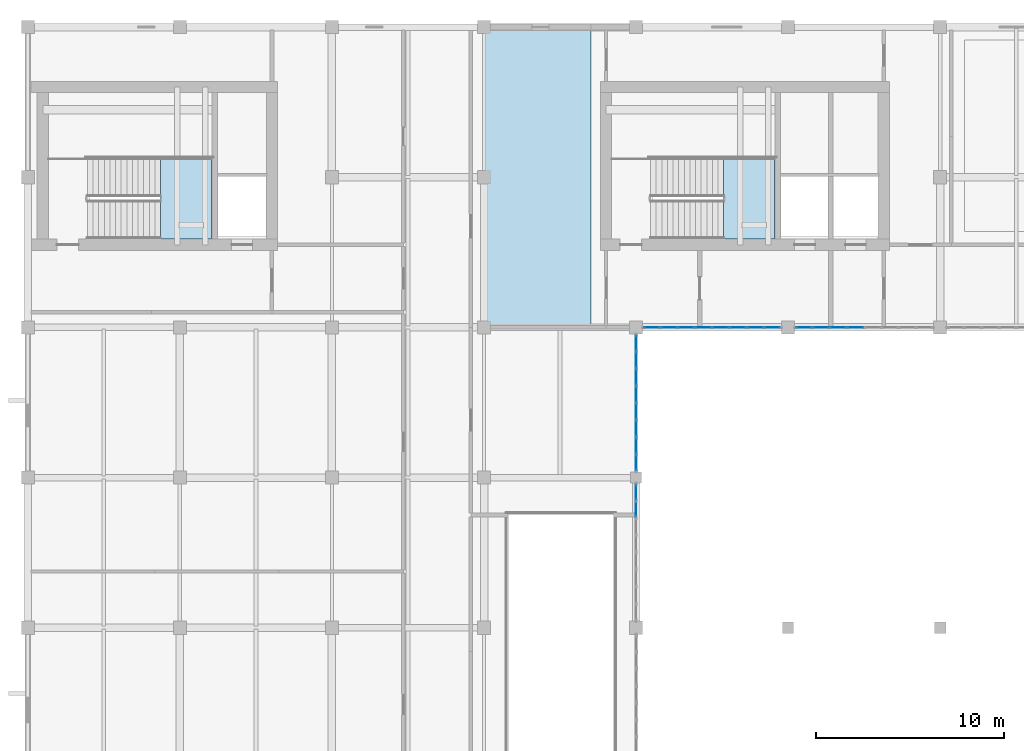
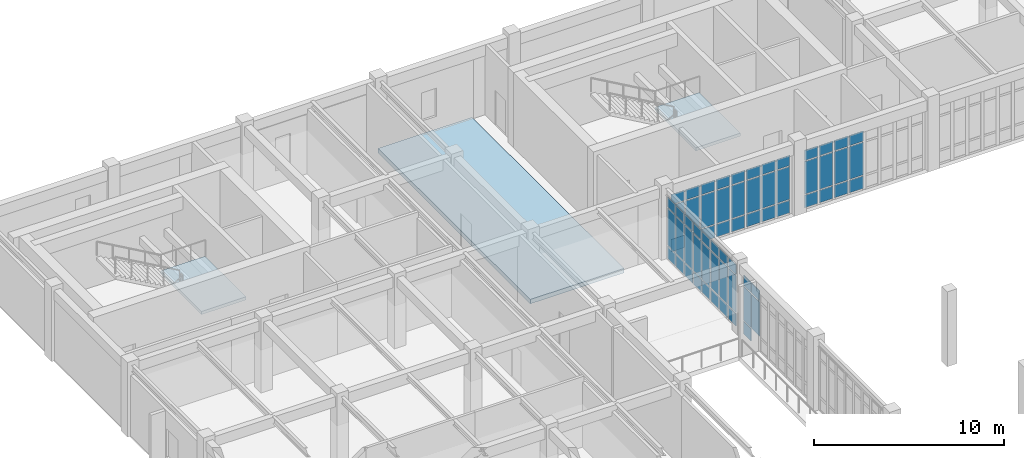
# One storey, part 35 of 61: 65 plates, 3 slabs, 6 elements without a shape of their own.
"""IFC4 building model written with IfcOpenShell, lengths in metres."""

from ifc_helpers import new_model, si_unit, direction, frame, origin, origin_2d, place, context, subcontext, project, spatial, polyline, rectangle, outline, extrude, material, layer, layer_set, type_object, element, aggregate, save


model = new_model("IFC4")

# Units and contexts
model_context = context("Model", 3, precision=1e-05, world=origin(), true_north=direction((0.0, 1.0)))
body_context = subcontext(model_context, "Body", "Model", "MODEL_VIEW")
ifc_project = project(units=[si_unit("LENGTHUNIT", "METRE"), si_unit("AREAUNIT", "SQUARE_METRE"), si_unit("VOLUMEUNIT", "CUBIC_METRE"), si_unit("PLANEANGLEUNIT", "RADIAN"), si_unit("MASSUNIT", "GRAM", prefix="KILO")], contexts=[model_context])

# Site, building, storey
site_placement = place(None, origin())
site = spatial("IfcSite", under=ifc_project, at=site_placement, CompositionType="ELEMENT")
building_placement = place(site_placement, origin())
building = spatial("IfcBuilding", under=site, at=building_placement, Name="Tarnveldt Square Police Headquarters", CompositionType="ELEMENT")
storey_placement = place(building_placement, frame((0.0, 0.0, 5.39990234375)))
storey = spatial("IfcBuildingStorey", under=building, at=storey_placement, Name="L01", CompositionType="ELEMENT", Elevation=5.39990234375)

# Curtain wall, plates
ifc_material_1 = material(Name="Triple-glazed low-e laminated vision glass", Category="glass")
curtain_wall_type_1 = type_object("IfcCurtainWallType", Name="CW-WG-732x391", PredefinedType="USERDEFINED", material=ifc_material_1)
curtain_wall_1_placement = place(storey_placement, origin())
curtain_wall_1 = element("IfcCurtainWall", 1, at=curtain_wall_1_placement, inside=storey, type_object=curtain_wall_type_1, Name="L01 Curtain Wall CW-L01-071", ObjectType="GLAZED CURTAIN WALL", PredefinedType="USERDEFINED")
ifc_layer_1 = layer(ifc_material_1, 0.028076171875)
ifc_layer_set_1 = layer_set([ifc_layer_1], Name="Triple-glazed low-e laminated vision glass")
plate_type = type_object("IfcPlateType", Name="CWP-VIS-28", PredefinedType="CURTAIN_PANEL", material=ifc_layer_set_1)
plate_1_placement = place(storey_placement, frame((48.60009765625, 86.3125, 0.9375), z_axis=(0.0, 0.0, 1.0), x_axis=(0.0, 1.0, 0.0)))
plate_1 = element("IfcPlate", 2, at=plate_1_placement, type_object=plate_type, Name="CW-WG31 panel 7.2", PredefinedType="CURTAIN_PANEL", context=body_context, shape_type="SweptSolid", body=[
    extrude(rectangle(XDim=0.840087890625, YDim=0.028076171875, at=origin_2d()), origin(), (0.0, 0.0, 1.0), 2.18701171875),
])
plate_2_placement = place(storey_placement, frame((48.60009765625, 86.3125, 3.19970703125), z_axis=(0.0, 0.0, 1.0), x_axis=(0.0, 1.0, 0.0)))
plate_2 = element("IfcPlate", 3, at=plate_2_placement, type_object=plate_type, Name="CW-WG31 panel 7.3", PredefinedType="CURTAIN_PANEL", context=body_context, shape_type="SweptSolid", body=[
    extrude(rectangle(XDim=0.840087890625, YDim=0.028076171875, at=origin_2d()), origin(), (0.0, 0.0, 1.0), 0.637451171875),
])
plate_3_placement = place(storey_placement, frame((48.60009765625, 87.208740234375, 0.074951171875), z_axis=(0.0, 0.0, 1.0), x_axis=(0.0, 1.0, 0.0)))
plate_3 = element("IfcPlate", 4, at=plate_3_placement, type_object=plate_type, Name="CW-WG31 panel 8.1", PredefinedType="CURTAIN_PANEL", context=body_context, shape_type="SweptSolid", body=[
    extrude(rectangle(XDim=0.802490234375, YDim=0.028076171875, at=origin_2d()), origin(), (0.0, 0.0, 1.0), 0.78759765625),
])
plate_4_placement = place(storey_placement, frame((48.60009765625, 87.208740234375, 0.9375), z_axis=(0.0, 0.0, 1.0), x_axis=(0.0, 1.0, 0.0)))
plate_4 = element("IfcPlate", 5, at=plate_4_placement, type_object=plate_type, Name="CW-WG31 panel 8.2", PredefinedType="CURTAIN_PANEL", context=body_context, shape_type="SweptSolid", body=[
    extrude(rectangle(XDim=0.802490234375, YDim=0.028076171875, at=origin_2d()), origin(), (0.0, 0.0, 1.0), 2.18701171875),
])
plate_5_placement = place(storey_placement, frame((48.60009765625, 87.208740234375, 3.19970703125), z_axis=(0.0, 0.0, 1.0), x_axis=(0.0, 1.0, 0.0)))
plate_5 = element("IfcPlate", 6, at=plate_5_placement, type_object=plate_type, Name="CW-WG31 panel 8.3", PredefinedType="CURTAIN_PANEL", context=body_context, shape_type="SweptSolid", body=[
    extrude(rectangle(XDim=0.802490234375, YDim=0.028076171875, at=origin_2d()), origin(), (0.0, 0.0, 1.0), 0.637451171875),
])
aggregate(curtain_wall_1, [plate_1, plate_2, plate_3, plate_4, plate_5])

curtain_wall_type_2 = type_object("IfcCurtainWallType", Name="CW-WG-732x409", PredefinedType="USERDEFINED", material=ifc_material_1)
curtain_wall_2_placement = place(storey_placement, origin())
curtain_wall_2 = element("IfcCurtainWall", 7, at=curtain_wall_2_placement, inside=storey, type_object=curtain_wall_type_2, Name="L01 Curtain Wall CW-L01-072", ObjectType="GLAZED CURTAIN WALL", PredefinedType="USERDEFINED")
plate_6_placement = place(storey_placement, frame((48.60009765625, 88.791259765625, 0.074951171875), z_axis=(0.0, 0.0, 1.0), x_axis=(0.0, 1.0, 0.0)))
plate_6 = element("IfcPlate", 8, at=plate_6_placement, type_object=plate_type, Name="CW-WG32 panel 1.1", PredefinedType="CURTAIN_PANEL", context=body_context, shape_type="SweptSolid", body=[
    extrude(rectangle(XDim=0.802490234375, YDim=0.028076171875, at=origin_2d()), origin(), (0.0, 0.0, 1.0), 0.78759765625),
])
plate_7_placement = place(storey_placement, frame((48.60009765625, 88.791259765625, 0.9375), z_axis=(0.0, 0.0, 1.0), x_axis=(0.0, 1.0, 0.0)))
plate_7 = element("IfcPlate", 9, at=plate_7_placement, type_object=plate_type, Name="CW-WG32 panel 1.2", PredefinedType="CURTAIN_PANEL", context=body_context, shape_type="SweptSolid", body=[
    extrude(rectangle(XDim=0.802490234375, YDim=0.028076171875, at=origin_2d()), origin(), (0.0, 0.0, 1.0), 2.3701171875),
])
plate_8_placement = place(storey_placement, frame((48.60009765625, 88.791259765625, 3.3828125), z_axis=(0.0, 0.0, 1.0), x_axis=(0.0, 1.0, 0.0)))
plate_8 = element("IfcPlate", 10, at=plate_8_placement, type_object=plate_type, Name="CW-WG32 panel 1.3", PredefinedType="CURTAIN_PANEL", context=body_context, shape_type="SweptSolid", body=[
    extrude(rectangle(XDim=0.802490234375, YDim=0.028076171875, at=origin_2d()), origin(), (0.0, 0.0, 1.0), 0.637451171875),
])
plate_9_placement = place(storey_placement, frame((48.60009765625, 89.6875, 0.074951171875), z_axis=(0.0, 0.0, 1.0), x_axis=(0.0, 1.0, 0.0)))
plate_9 = element("IfcPlate", 11, at=plate_9_placement, type_object=plate_type, Name="CW-WG32 panel 2.1", PredefinedType="CURTAIN_PANEL", context=body_context, shape_type="SweptSolid", body=[
    extrude(rectangle(XDim=0.840087890625, YDim=0.028076171875, at=origin_2d()), origin(), (0.0, 0.0, 1.0), 0.78759765625),
])
plate_10_placement = place(storey_placement, frame((48.60009765625, 89.6875, 0.9375), z_axis=(0.0, 0.0, 1.0), x_axis=(0.0, 1.0, 0.0)))
plate_10 = element("IfcPlate", 12, at=plate_10_placement, type_object=plate_type, Name="CW-WG32 panel 2.2", PredefinedType="CURTAIN_PANEL", context=body_context, shape_type="SweptSolid", body=[
    extrude(rectangle(XDim=0.840087890625, YDim=0.028076171875, at=origin_2d()), origin(), (0.0, 0.0, 1.0), 2.3701171875),
])
plate_11_placement = place(storey_placement, frame((48.60009765625, 89.6875, 3.3828125), z_axis=(0.0, 0.0, 1.0), x_axis=(0.0, 1.0, 0.0)))
plate_11 = element("IfcPlate", 13, at=plate_11_placement, type_object=plate_type, Name="CW-WG32 panel 2.3", PredefinedType="CURTAIN_PANEL", context=body_context, shape_type="SweptSolid", body=[
    extrude(rectangle(XDim=0.840087890625, YDim=0.028076171875, at=origin_2d()), origin(), (0.0, 0.0, 1.0), 0.637451171875),
])
plate_12_placement = place(storey_placement, frame((48.60009765625, 90.6025390625, 0.074951171875), z_axis=(0.0, 0.0, 1.0), x_axis=(0.0, 1.0, 0.0)))
plate_12 = element("IfcPlate", 14, at=plate_12_placement, type_object=plate_type, Name="CW-WG32 panel 3.1", PredefinedType="CURTAIN_PANEL", context=body_context, shape_type="SweptSolid", body=[
    extrude(rectangle(XDim=0.840087890625, YDim=0.028076171875, at=origin_2d()), origin(), (0.0, 0.0, 1.0), 0.78759765625),
])
plate_13_placement = place(storey_placement, frame((48.60009765625, 90.6025390625, 0.9375), z_axis=(0.0, 0.0, 1.0), x_axis=(0.0, 1.0, 0.0)))
plate_13 = element("IfcPlate", 15, at=plate_13_placement, type_object=plate_type, Name="CW-WG32 panel 3.2", PredefinedType="CURTAIN_PANEL", context=body_context, shape_type="SweptSolid", body=[
    extrude(rectangle(XDim=0.840087890625, YDim=0.028076171875, at=origin_2d()), origin(), (0.0, 0.0, 1.0), 2.3701171875),
])
plate_14_placement = place(storey_placement, frame((48.60009765625, 90.6025390625, 3.3828125), z_axis=(0.0, 0.0, 1.0), x_axis=(0.0, 1.0, 0.0)))
plate_14 = element("IfcPlate", 16, at=plate_14_placement, type_object=plate_type, Name="CW-WG32 panel 3.3", PredefinedType="CURTAIN_PANEL", context=body_context, shape_type="SweptSolid", body=[
    extrude(rectangle(XDim=0.840087890625, YDim=0.028076171875, at=origin_2d()), origin(), (0.0, 0.0, 1.0), 0.637451171875),
])
plate_15_placement = place(storey_placement, frame((48.60009765625, 91.517578125, 0.074951171875), z_axis=(0.0, 0.0, 1.0), x_axis=(0.0, 1.0, 0.0)))
plate_15 = element("IfcPlate", 17, at=plate_15_placement, type_object=plate_type, Name="CW-WG32 panel 4.1", PredefinedType="CURTAIN_PANEL", context=body_context, shape_type="SweptSolid", body=[
    extrude(rectangle(XDim=0.840087890625, YDim=0.028076171875, at=origin_2d()), origin(), (0.0, 0.0, 1.0), 0.78759765625),
])
plate_16_placement = place(storey_placement, frame((48.60009765625, 91.517578125, 0.9375), z_axis=(0.0, 0.0, 1.0), x_axis=(0.0, 1.0, 0.0)))
plate_16 = element("IfcPlate", 18, at=plate_16_placement, type_object=plate_type, Name="CW-WG32 panel 4.2", PredefinedType="CURTAIN_PANEL", context=body_context, shape_type="SweptSolid", body=[
    extrude(rectangle(XDim=0.840087890625, YDim=0.028076171875, at=origin_2d()), origin(), (0.0, 0.0, 1.0), 2.3701171875),
])
plate_17_placement = place(storey_placement, frame((48.60009765625, 91.517578125, 3.3828125), z_axis=(0.0, 0.0, 1.0), x_axis=(0.0, 1.0, 0.0)))
plate_17 = element("IfcPlate", 19, at=plate_17_placement, type_object=plate_type, Name="CW-WG32 panel 4.3", PredefinedType="CURTAIN_PANEL", context=body_context, shape_type="SweptSolid", body=[
    extrude(rectangle(XDim=0.840087890625, YDim=0.028076171875, at=origin_2d()), origin(), (0.0, 0.0, 1.0), 0.637451171875),
])
plate_18_placement = place(storey_placement, frame((48.60009765625, 92.4326171875, 0.074951171875), z_axis=(0.0, 0.0, 1.0), x_axis=(0.0, 1.0, 0.0)))
plate_18 = element("IfcPlate", 20, at=plate_18_placement, type_object=plate_type, Name="CW-WG32 panel 5.1", PredefinedType="CURTAIN_PANEL", context=body_context, shape_type="SweptSolid", body=[
    extrude(rectangle(XDim=0.840087890625, YDim=0.028076171875, at=origin_2d()), origin(), (0.0, 0.0, 1.0), 0.78759765625),
])
plate_19_placement = place(storey_placement, frame((48.60009765625, 92.4326171875, 0.9375), z_axis=(0.0, 0.0, 1.0), x_axis=(0.0, 1.0, 0.0)))
plate_19 = element("IfcPlate", 21, at=plate_19_placement, type_object=plate_type, Name="CW-WG32 panel 5.2", PredefinedType="CURTAIN_PANEL", context=body_context, shape_type="SweptSolid", body=[
    extrude(rectangle(XDim=0.840087890625, YDim=0.028076171875, at=origin_2d()), origin(), (0.0, 0.0, 1.0), 2.3701171875),
])
plate_20_placement = place(storey_placement, frame((48.60009765625, 92.4326171875, 3.3828125), z_axis=(0.0, 0.0, 1.0), x_axis=(0.0, 1.0, 0.0)))
plate_20 = element("IfcPlate", 22, at=plate_20_placement, type_object=plate_type, Name="CW-WG32 panel 5.3", PredefinedType="CURTAIN_PANEL", context=body_context, shape_type="SweptSolid", body=[
    extrude(rectangle(XDim=0.840087890625, YDim=0.028076171875, at=origin_2d()), origin(), (0.0, 0.0, 1.0), 0.637451171875),
])
plate_21_placement = place(storey_placement, frame((48.60009765625, 93.347412109375, 0.074951171875), z_axis=(0.0, 0.0, 1.0), x_axis=(0.0, 1.0, 0.0)))
plate_21 = element("IfcPlate", 23, at=plate_21_placement, type_object=plate_type, Name="CW-WG32 panel 6.1", PredefinedType="CURTAIN_PANEL", context=body_context, shape_type="SweptSolid", body=[
    extrude(rectangle(XDim=0.840087890625, YDim=0.028076171875, at=origin_2d()), origin(), (0.0, 0.0, 1.0), 0.78759765625),
])
plate_22_placement = place(storey_placement, frame((48.60009765625, 93.347412109375, 0.9375), z_axis=(0.0, 0.0, 1.0), x_axis=(0.0, 1.0, 0.0)))
plate_22 = element("IfcPlate", 24, at=plate_22_placement, type_object=plate_type, Name="CW-WG32 panel 6.2", PredefinedType="CURTAIN_PANEL", context=body_context, shape_type="SweptSolid", body=[
    extrude(rectangle(XDim=0.840087890625, YDim=0.028076171875, at=origin_2d()), origin(), (0.0, 0.0, 1.0), 2.3701171875),
])
plate_23_placement = place(storey_placement, frame((48.60009765625, 93.347412109375, 3.3828125), z_axis=(0.0, 0.0, 1.0), x_axis=(0.0, 1.0, 0.0)))
plate_23 = element("IfcPlate", 25, at=plate_23_placement, type_object=plate_type, Name="CW-WG32 panel 6.3", PredefinedType="CURTAIN_PANEL", context=body_context, shape_type="SweptSolid", body=[
    extrude(rectangle(XDim=0.840087890625, YDim=0.028076171875, at=origin_2d()), origin(), (0.0, 0.0, 1.0), 0.637451171875),
])
plate_24_placement = place(storey_placement, frame((48.60009765625, 94.262451171875, 0.074951171875), z_axis=(0.0, 0.0, 1.0), x_axis=(0.0, 1.0, 0.0)))
plate_24 = element("IfcPlate", 26, at=plate_24_placement, type_object=plate_type, Name="CW-WG32 panel 7.1", PredefinedType="CURTAIN_PANEL", context=body_context, shape_type="SweptSolid", body=[
    extrude(rectangle(XDim=0.840087890625, YDim=0.028076171875, at=origin_2d()), origin(), (0.0, 0.0, 1.0), 0.78759765625),
])
plate_25_placement = place(storey_placement, frame((48.60009765625, 94.262451171875, 0.9375), z_axis=(0.0, 0.0, 1.0), x_axis=(0.0, 1.0, 0.0)))
plate_25 = element("IfcPlate", 27, at=plate_25_placement, type_object=plate_type, Name="CW-WG32 panel 7.2", PredefinedType="CURTAIN_PANEL", context=body_context, shape_type="SweptSolid", body=[
    extrude(rectangle(XDim=0.840087890625, YDim=0.028076171875, at=origin_2d()), origin(), (0.0, 0.0, 1.0), 2.3701171875),
])
plate_26_placement = place(storey_placement, frame((48.60009765625, 94.262451171875, 3.3828125), z_axis=(0.0, 0.0, 1.0), x_axis=(0.0, 1.0, 0.0)))
plate_26 = element("IfcPlate", 28, at=plate_26_placement, type_object=plate_type, Name="CW-WG32 panel 7.3", PredefinedType="CURTAIN_PANEL", context=body_context, shape_type="SweptSolid", body=[
    extrude(rectangle(XDim=0.840087890625, YDim=0.028076171875, at=origin_2d()), origin(), (0.0, 0.0, 1.0), 0.637451171875),
])
plate_27_placement = place(storey_placement, frame((48.60009765625, 95.15869140625, 0.074951171875), z_axis=(0.0, 0.0, 1.0), x_axis=(0.0, 1.0, 0.0)))
plate_27 = element("IfcPlate", 29, at=plate_27_placement, type_object=plate_type, Name="CW-WG32 panel 8.1", PredefinedType="CURTAIN_PANEL", context=body_context, shape_type="SweptSolid", body=[
    extrude(rectangle(XDim=0.802490234375, YDim=0.028076171875, at=origin_2d()), origin(), (0.0, 0.0, 1.0), 0.78759765625),
])
plate_28_placement = place(storey_placement, frame((48.60009765625, 95.15869140625, 0.9375), z_axis=(0.0, 0.0, 1.0), x_axis=(0.0, 1.0, 0.0)))
plate_28 = element("IfcPlate", 30, at=plate_28_placement, type_object=plate_type, Name="CW-WG32 panel 8.2", PredefinedType="CURTAIN_PANEL", context=body_context, shape_type="SweptSolid", body=[
    extrude(rectangle(XDim=0.802490234375, YDim=0.028076171875, at=origin_2d()), origin(), (0.0, 0.0, 1.0), 2.3701171875),
])
plate_29_placement = place(storey_placement, frame((48.60009765625, 95.15869140625, 3.3828125), z_axis=(0.0, 0.0, 1.0), x_axis=(0.0, 1.0, 0.0)))
plate_29 = element("IfcPlate", 31, at=plate_29_placement, type_object=plate_type, Name="CW-WG32 panel 8.3", PredefinedType="CURTAIN_PANEL", context=body_context, shape_type="SweptSolid", body=[
    extrude(rectangle(XDim=0.802490234375, YDim=0.028076171875, at=origin_2d()), origin(), (0.0, 0.0, 1.0), 0.637451171875),
])
aggregate(curtain_wall_2, [plate_6, plate_7, plate_8, plate_9, plate_10, plate_11, plate_12, plate_13, plate_14, plate_15, plate_16, plate_17, plate_18, plate_19, plate_20, plate_21, plate_22, plate_23, plate_24, plate_25, plate_26, plate_27, plate_28, plate_29])

curtain_wall_type_3 = type_object("IfcCurtainWallType", Name="CW-LB-737x381", PredefinedType="USERDEFINED", material=ifc_material_1)
curtain_wall_3_placement = place(storey_placement, origin())
curtain_wall_3 = element("IfcCurtainWall", 32, at=curtain_wall_3_placement, inside=storey, type_object=curtain_wall_type_3, Name="L01 Curtain Wall CW-L01-105", ObjectType="GLAZED CURTAIN WALL", PredefinedType="USERDEFINED")
plate_30_placement = place(storey_placement, frame((49.4443359375, 96.0, 0.06494140625), z_axis=(0.0, 0.0, 1.0), x_axis=(1.0, 0.0, 0.0)))
plate_30 = element("IfcPlate", 33, at=plate_30_placement, type_object=plate_type, Name="CW-LB60 panel 1.1", PredefinedType="CURTAIN_PANEL", context=body_context, shape_type="SweptSolid", body=[
    extrude(rectangle(XDim=0.808837890625, YDim=0.028076171875, at=origin_2d()), origin(), (0.0, 0.0, 1.0), 0.802490234375),
])
plate_31_placement = place(storey_placement, frame((49.4443359375, 96.0, 0.9326171875), z_axis=(0.0, 0.0, 1.0), x_axis=(1.0, 0.0, 0.0)))
plate_31 = element("IfcPlate", 34, at=plate_31_placement, type_object=plate_type, Name="CW-LB60 panel 1.2", PredefinedType="CURTAIN_PANEL", context=body_context, shape_type="SweptSolid", body=[
    extrude(rectangle(XDim=0.808837890625, YDim=0.028076171875, at=origin_2d()), origin(), (0.0, 0.0, 1.0), 2.096923828125),
])
plate_32_placement = place(storey_placement, frame((49.4443359375, 96.0, 3.0947265625), z_axis=(0.0, 0.0, 1.0), x_axis=(1.0, 0.0, 0.0)))
plate_32 = element("IfcPlate", 35, at=plate_32_placement, type_object=plate_type, Name="CW-LB60 panel 1.3", PredefinedType="CURTAIN_PANEL", context=body_context, shape_type="SweptSolid", body=[
    extrude(rectangle(XDim=0.808837890625, YDim=0.028076171875, at=origin_2d()), origin(), (0.0, 0.0, 1.0), 0.652587890625),
])
plate_33_placement = place(storey_placement, frame((50.346923828125, 96.0, 0.06494140625), z_axis=(0.0, 0.0, 1.0), x_axis=(1.0, 0.0, 0.0)))
plate_33 = element("IfcPlate", 36, at=plate_33_placement, type_object=plate_type, Name="CW-LB60 panel 2.1", PredefinedType="CURTAIN_PANEL", context=body_context, shape_type="SweptSolid", body=[
    extrude(rectangle(XDim=0.84619140625, YDim=0.028076171875, at=origin_2d()), origin(), (0.0, 0.0, 1.0), 0.802490234375),
])
plate_34_placement = place(storey_placement, frame((50.346923828125, 96.0, 0.9326171875), z_axis=(0.0, 0.0, 1.0), x_axis=(1.0, 0.0, 0.0)))
plate_34 = element("IfcPlate", 37, at=plate_34_placement, type_object=plate_type, Name="CW-LB60 panel 2.2", PredefinedType="CURTAIN_PANEL", context=body_context, shape_type="SweptSolid", body=[
    extrude(rectangle(XDim=0.84619140625, YDim=0.028076171875, at=origin_2d()), origin(), (0.0, 0.0, 1.0), 2.096923828125),
])
plate_35_placement = place(storey_placement, frame((50.346923828125, 96.0, 3.0947265625), z_axis=(0.0, 0.0, 1.0), x_axis=(1.0, 0.0, 0.0)))
plate_35 = element("IfcPlate", 38, at=plate_35_placement, type_object=plate_type, Name="CW-LB60 panel 2.3", PredefinedType="CURTAIN_PANEL", context=body_context, shape_type="SweptSolid", body=[
    extrude(rectangle(XDim=0.84619140625, YDim=0.028076171875, at=origin_2d()), origin(), (0.0, 0.0, 1.0), 0.652587890625),
])
plate_36_placement = place(storey_placement, frame((51.26806640625, 96.0, 0.06494140625), z_axis=(0.0, 0.0, 1.0), x_axis=(1.0, 0.0, 0.0)))
plate_36 = element("IfcPlate", 39, at=plate_36_placement, type_object=plate_type, Name="CW-LB60 panel 3.1", PredefinedType="CURTAIN_PANEL", context=body_context, shape_type="SweptSolid", body=[
    extrude(rectangle(XDim=0.84619140625, YDim=0.028076171875, at=origin_2d()), origin(), (0.0, 0.0, 1.0), 0.802490234375),
])
plate_37_placement = place(storey_placement, frame((51.26806640625, 96.0, 0.9326171875), z_axis=(0.0, 0.0, 1.0), x_axis=(1.0, 0.0, 0.0)))
plate_37 = element("IfcPlate", 40, at=plate_37_placement, type_object=plate_type, Name="CW-LB60 panel 3.2", PredefinedType="CURTAIN_PANEL", context=body_context, shape_type="SweptSolid", body=[
    extrude(rectangle(XDim=0.84619140625, YDim=0.028076171875, at=origin_2d()), origin(), (0.0, 0.0, 1.0), 2.096923828125),
])
plate_38_placement = place(storey_placement, frame((51.26806640625, 96.0, 3.0947265625), z_axis=(0.0, 0.0, 1.0), x_axis=(1.0, 0.0, 0.0)))
plate_38 = element("IfcPlate", 41, at=plate_38_placement, type_object=plate_type, Name="CW-LB60 panel 3.3", PredefinedType="CURTAIN_PANEL", context=body_context, shape_type="SweptSolid", body=[
    extrude(rectangle(XDim=0.84619140625, YDim=0.028076171875, at=origin_2d()), origin(), (0.0, 0.0, 1.0), 0.652587890625),
])
plate_39_placement = place(storey_placement, frame((52.189453125, 96.0, 0.06494140625), z_axis=(0.0, 0.0, 1.0), x_axis=(1.0, 0.0, 0.0)))
plate_39 = element("IfcPlate", 42, at=plate_39_placement, type_object=plate_type, Name="CW-LB60 panel 4.1", PredefinedType="CURTAIN_PANEL", context=body_context, shape_type="SweptSolid", body=[
    extrude(rectangle(XDim=0.84619140625, YDim=0.028076171875, at=origin_2d()), origin(), (0.0, 0.0, 1.0), 0.802490234375),
])
plate_40_placement = place(storey_placement, frame((52.189453125, 96.0, 0.9326171875), z_axis=(0.0, 0.0, 1.0), x_axis=(1.0, 0.0, 0.0)))
plate_40 = element("IfcPlate", 43, at=plate_40_placement, type_object=plate_type, Name="CW-LB60 panel 4.2", PredefinedType="CURTAIN_PANEL", context=body_context, shape_type="SweptSolid", body=[
    extrude(rectangle(XDim=0.84619140625, YDim=0.028076171875, at=origin_2d()), origin(), (0.0, 0.0, 1.0), 2.096923828125),
])
plate_41_placement = place(storey_placement, frame((52.189453125, 96.0, 3.0947265625), z_axis=(0.0, 0.0, 1.0), x_axis=(1.0, 0.0, 0.0)))
plate_41 = element("IfcPlate", 44, at=plate_41_placement, type_object=plate_type, Name="CW-LB60 panel 4.3", PredefinedType="CURTAIN_PANEL", context=body_context, shape_type="SweptSolid", body=[
    extrude(rectangle(XDim=0.84619140625, YDim=0.028076171875, at=origin_2d()), origin(), (0.0, 0.0, 1.0), 0.652587890625),
])
plate_42_placement = place(storey_placement, frame((53.110595703125, 96.0, 0.06494140625), z_axis=(0.0, 0.0, 1.0), x_axis=(1.0, 0.0, 0.0)))
plate_42 = element("IfcPlate", 45, at=plate_42_placement, type_object=plate_type, Name="CW-LB60 panel 5.1", PredefinedType="CURTAIN_PANEL", context=body_context, shape_type="SweptSolid", body=[
    extrude(rectangle(XDim=0.84619140625, YDim=0.028076171875, at=origin_2d()), origin(), (0.0, 0.0, 1.0), 0.802490234375),
])
plate_43_placement = place(storey_placement, frame((53.110595703125, 96.0, 0.9326171875), z_axis=(0.0, 0.0, 1.0), x_axis=(1.0, 0.0, 0.0)))
plate_43 = element("IfcPlate", 46, at=plate_43_placement, type_object=plate_type, Name="CW-LB60 panel 5.2", PredefinedType="CURTAIN_PANEL", context=body_context, shape_type="SweptSolid", body=[
    extrude(rectangle(XDim=0.84619140625, YDim=0.028076171875, at=origin_2d()), origin(), (0.0, 0.0, 1.0), 2.096923828125),
])
plate_44_placement = place(storey_placement, frame((53.110595703125, 96.0, 3.0947265625), z_axis=(0.0, 0.0, 1.0), x_axis=(1.0, 0.0, 0.0)))
plate_44 = element("IfcPlate", 47, at=plate_44_placement, type_object=plate_type, Name="CW-LB60 panel 5.3", PredefinedType="CURTAIN_PANEL", context=body_context, shape_type="SweptSolid", body=[
    extrude(rectangle(XDim=0.84619140625, YDim=0.028076171875, at=origin_2d()), origin(), (0.0, 0.0, 1.0), 0.652587890625),
])
plate_45_placement = place(storey_placement, frame((54.031982421875, 96.0, 0.06494140625), z_axis=(0.0, 0.0, 1.0), x_axis=(1.0, 0.0, 0.0)))
plate_45 = element("IfcPlate", 48, at=plate_45_placement, type_object=plate_type, Name="CW-LB60 panel 6.1", PredefinedType="CURTAIN_PANEL", context=body_context, shape_type="SweptSolid", body=[
    extrude(rectangle(XDim=0.84619140625, YDim=0.028076171875, at=origin_2d()), origin(), (0.0, 0.0, 1.0), 0.802490234375),
])
plate_46_placement = place(storey_placement, frame((54.031982421875, 96.0, 0.9326171875), z_axis=(0.0, 0.0, 1.0), x_axis=(1.0, 0.0, 0.0)))
plate_46 = element("IfcPlate", 49, at=plate_46_placement, type_object=plate_type, Name="CW-LB60 panel 6.2", PredefinedType="CURTAIN_PANEL", context=body_context, shape_type="SweptSolid", body=[
    extrude(rectangle(XDim=0.84619140625, YDim=0.028076171875, at=origin_2d()), origin(), (0.0, 0.0, 1.0), 2.096923828125),
])
plate_47_placement = place(storey_placement, frame((54.031982421875, 96.0, 3.0947265625), z_axis=(0.0, 0.0, 1.0), x_axis=(1.0, 0.0, 0.0)))
plate_47 = element("IfcPlate", 50, at=plate_47_placement, type_object=plate_type, Name="CW-LB60 panel 6.3", PredefinedType="CURTAIN_PANEL", context=body_context, shape_type="SweptSolid", body=[
    extrude(rectangle(XDim=0.84619140625, YDim=0.028076171875, at=origin_2d()), origin(), (0.0, 0.0, 1.0), 0.652587890625),
])
plate_48_placement = place(storey_placement, frame((54.953125, 96.0, 0.06494140625), z_axis=(0.0, 0.0, 1.0), x_axis=(1.0, 0.0, 0.0)))
plate_48 = element("IfcPlate", 51, at=plate_48_placement, type_object=plate_type, Name="CW-LB60 panel 7.1", PredefinedType="CURTAIN_PANEL", context=body_context, shape_type="SweptSolid", body=[
    extrude(rectangle(XDim=0.84619140625, YDim=0.028076171875, at=origin_2d()), origin(), (0.0, 0.0, 1.0), 0.802490234375),
])
plate_49_placement = place(storey_placement, frame((54.953125, 96.0, 0.9326171875), z_axis=(0.0, 0.0, 1.0), x_axis=(1.0, 0.0, 0.0)))
plate_49 = element("IfcPlate", 52, at=plate_49_placement, type_object=plate_type, Name="CW-LB60 panel 7.2", PredefinedType="CURTAIN_PANEL", context=body_context, shape_type="SweptSolid", body=[
    extrude(rectangle(XDim=0.84619140625, YDim=0.028076171875, at=origin_2d()), origin(), (0.0, 0.0, 1.0), 2.096923828125),
])
plate_50_placement = place(storey_placement, frame((54.953125, 96.0, 3.0947265625), z_axis=(0.0, 0.0, 1.0), x_axis=(1.0, 0.0, 0.0)))
plate_50 = element("IfcPlate", 53, at=plate_50_placement, type_object=plate_type, Name="CW-LB60 panel 7.3", PredefinedType="CURTAIN_PANEL", context=body_context, shape_type="SweptSolid", body=[
    extrude(rectangle(XDim=0.84619140625, YDim=0.028076171875, at=origin_2d()), origin(), (0.0, 0.0, 1.0), 0.652587890625),
])
plate_51_placement = place(storey_placement, frame((55.855712890625, 96.0, 0.06494140625), z_axis=(0.0, 0.0, 1.0), x_axis=(1.0, 0.0, 0.0)))
plate_51 = element("IfcPlate", 54, at=plate_51_placement, type_object=plate_type, Name="CW-LB60 panel 8.1", PredefinedType="CURTAIN_PANEL", context=body_context, shape_type="SweptSolid", body=[
    extrude(rectangle(XDim=0.808837890625, YDim=0.028076171875, at=origin_2d()), origin(), (0.0, 0.0, 1.0), 0.802490234375),
])
plate_52_placement = place(storey_placement, frame((55.855712890625, 96.0, 0.9326171875), z_axis=(0.0, 0.0, 1.0), x_axis=(1.0, 0.0, 0.0)))
plate_52 = element("IfcPlate", 55, at=plate_52_placement, type_object=plate_type, Name="CW-LB60 panel 8.2", PredefinedType="CURTAIN_PANEL", context=body_context, shape_type="SweptSolid", body=[
    extrude(rectangle(XDim=0.808837890625, YDim=0.028076171875, at=origin_2d()), origin(), (0.0, 0.0, 1.0), 2.096923828125),
])
plate_53_placement = place(storey_placement, frame((55.855712890625, 96.0, 3.0947265625), z_axis=(0.0, 0.0, 1.0), x_axis=(1.0, 0.0, 0.0)))
plate_53 = element("IfcPlate", 56, at=plate_53_placement, type_object=plate_type, Name="CW-LB60 panel 8.3", PredefinedType="CURTAIN_PANEL", context=body_context, shape_type="SweptSolid", body=[
    extrude(rectangle(XDim=0.808837890625, YDim=0.028076171875, at=origin_2d()), origin(), (0.0, 0.0, 1.0), 0.652587890625),
])
aggregate(curtain_wall_3, [plate_30, plate_31, plate_32, plate_33, plate_34, plate_35, plate_36, plate_37, plate_38, plate_39, plate_40, plate_41, plate_42, plate_43, plate_44, plate_45, plate_46, plate_47, plate_48, plate_49, plate_50, plate_51, plate_52, plate_53])

curtain_wall_4_placement = place(storey_placement, origin())
curtain_wall_4 = element("IfcCurtainWall", 57, at=curtain_wall_4_placement, inside=storey, type_object=curtain_wall_type_3, Name="L01 Curtain Wall CW-L01-106", ObjectType="GLAZED CURTAIN WALL", PredefinedType="USERDEFINED")
plate_54_placement = place(storey_placement, frame((57.54443359375, 96.0, 0.06494140625), z_axis=(0.0, 0.0, 1.0), x_axis=(1.0, 0.0, 0.0)))
plate_54 = element("IfcPlate", 58, at=plate_54_placement, type_object=plate_type, Name="CW-LB60 panel 1.1", PredefinedType="CURTAIN_PANEL", context=body_context, shape_type="SweptSolid", body=[
    extrude(rectangle(XDim=0.808837890625, YDim=0.028076171875, at=origin_2d()), origin(), (0.0, 0.0, 1.0), 0.802490234375),
])
plate_55_placement = place(storey_placement, frame((57.54443359375, 96.0, 0.9326171875), z_axis=(0.0, 0.0, 1.0), x_axis=(1.0, 0.0, 0.0)))
plate_55 = element("IfcPlate", 59, at=plate_55_placement, type_object=plate_type, Name="CW-LB60 panel 1.2", PredefinedType="CURTAIN_PANEL", context=body_context, shape_type="SweptSolid", body=[
    extrude(rectangle(XDim=0.808837890625, YDim=0.028076171875, at=origin_2d()), origin(), (0.0, 0.0, 1.0), 2.096923828125),
])
plate_56_placement = place(storey_placement, frame((57.54443359375, 96.0, 3.0947265625), z_axis=(0.0, 0.0, 1.0), x_axis=(1.0, 0.0, 0.0)))
plate_56 = element("IfcPlate", 60, at=plate_56_placement, type_object=plate_type, Name="CW-LB60 panel 1.3", PredefinedType="CURTAIN_PANEL", context=body_context, shape_type="SweptSolid", body=[
    extrude(rectangle(XDim=0.808837890625, YDim=0.028076171875, at=origin_2d()), origin(), (0.0, 0.0, 1.0), 0.652587890625),
])
plate_57_placement = place(storey_placement, frame((58.44677734375, 96.0, 0.06494140625), z_axis=(0.0, 0.0, 1.0), x_axis=(1.0, 0.0, 0.0)))
plate_57 = element("IfcPlate", 61, at=plate_57_placement, type_object=plate_type, Name="CW-LB60 panel 2.1", PredefinedType="CURTAIN_PANEL", context=body_context, shape_type="SweptSolid", body=[
    extrude(rectangle(XDim=0.84619140625, YDim=0.028076171875, at=origin_2d()), origin(), (0.0, 0.0, 1.0), 0.802490234375),
])
plate_58_placement = place(storey_placement, frame((58.44677734375, 96.0, 0.9326171875), z_axis=(0.0, 0.0, 1.0), x_axis=(1.0, 0.0, 0.0)))
plate_58 = element("IfcPlate", 62, at=plate_58_placement, type_object=plate_type, Name="CW-LB60 panel 2.2", PredefinedType="CURTAIN_PANEL", context=body_context, shape_type="SweptSolid", body=[
    extrude(rectangle(XDim=0.84619140625, YDim=0.028076171875, at=origin_2d()), origin(), (0.0, 0.0, 1.0), 2.096923828125),
])
plate_59_placement = place(storey_placement, frame((58.44677734375, 96.0, 3.0947265625), z_axis=(0.0, 0.0, 1.0), x_axis=(1.0, 0.0, 0.0)))
plate_59 = element("IfcPlate", 63, at=plate_59_placement, type_object=plate_type, Name="CW-LB60 panel 2.3", PredefinedType="CURTAIN_PANEL", context=body_context, shape_type="SweptSolid", body=[
    extrude(rectangle(XDim=0.84619140625, YDim=0.028076171875, at=origin_2d()), origin(), (0.0, 0.0, 1.0), 0.652587890625),
])
plate_60_placement = place(storey_placement, frame((59.3681640625, 96.0, 0.06494140625), z_axis=(0.0, 0.0, 1.0), x_axis=(1.0, 0.0, 0.0)))
plate_60 = element("IfcPlate", 64, at=plate_60_placement, type_object=plate_type, Name="CW-LB60 panel 3.1", PredefinedType="CURTAIN_PANEL", context=body_context, shape_type="SweptSolid", body=[
    extrude(rectangle(XDim=0.84619140625, YDim=0.028076171875, at=origin_2d()), origin(), (0.0, 0.0, 1.0), 0.802490234375),
])
plate_61_placement = place(storey_placement, frame((59.3681640625, 96.0, 0.9326171875), z_axis=(0.0, 0.0, 1.0), x_axis=(1.0, 0.0, 0.0)))
plate_61 = element("IfcPlate", 65, at=plate_61_placement, type_object=plate_type, Name="CW-LB60 panel 3.2", PredefinedType="CURTAIN_PANEL", context=body_context, shape_type="SweptSolid", body=[
    extrude(rectangle(XDim=0.84619140625, YDim=0.028076171875, at=origin_2d()), origin(), (0.0, 0.0, 1.0), 2.096923828125),
])
plate_62_placement = place(storey_placement, frame((59.3681640625, 96.0, 3.0947265625), z_axis=(0.0, 0.0, 1.0), x_axis=(1.0, 0.0, 0.0)))
plate_62 = element("IfcPlate", 66, at=plate_62_placement, type_object=plate_type, Name="CW-LB60 panel 3.3", PredefinedType="CURTAIN_PANEL", context=body_context, shape_type="SweptSolid", body=[
    extrude(rectangle(XDim=0.84619140625, YDim=0.028076171875, at=origin_2d()), origin(), (0.0, 0.0, 1.0), 0.652587890625),
])
plate_63_placement = place(storey_placement, frame((60.289306640625, 96.0, 0.06494140625), z_axis=(0.0, 0.0, 1.0), x_axis=(1.0, 0.0, 0.0)))
plate_63 = element("IfcPlate", 67, at=plate_63_placement, type_object=plate_type, Name="CW-LB60 panel 4.1", PredefinedType="CURTAIN_PANEL", context=body_context, shape_type="SweptSolid", body=[
    extrude(rectangle(XDim=0.84619140625, YDim=0.028076171875, at=origin_2d()), origin(), (0.0, 0.0, 1.0), 0.802490234375),
])
plate_64_placement = place(storey_placement, frame((60.289306640625, 96.0, 0.9326171875), z_axis=(0.0, 0.0, 1.0), x_axis=(1.0, 0.0, 0.0)))
plate_64 = element("IfcPlate", 68, at=plate_64_placement, type_object=plate_type, Name="CW-LB60 panel 4.2", PredefinedType="CURTAIN_PANEL", context=body_context, shape_type="SweptSolid", body=[
    extrude(rectangle(XDim=0.84619140625, YDim=0.028076171875, at=origin_2d()), origin(), (0.0, 0.0, 1.0), 2.096923828125),
])
plate_65_placement = place(storey_placement, frame((60.289306640625, 96.0, 3.0947265625), z_axis=(0.0, 0.0, 1.0), x_axis=(1.0, 0.0, 0.0)))
plate_65 = element("IfcPlate", 69, at=plate_65_placement, type_object=plate_type, Name="CW-LB60 panel 4.3", PredefinedType="CURTAIN_PANEL", context=body_context, shape_type="SweptSolid", body=[
    extrude(rectangle(XDim=0.84619140625, YDim=0.028076171875, at=origin_2d()), origin(), (0.0, 0.0, 1.0), 0.652587890625),
])
aggregate(curtain_wall_4, [plate_54, plate_55, plate_56, plate_57, plate_58, plate_59, plate_60, plate_61, plate_62, plate_63, plate_64, plate_65])

# Stair, slab
ifc_material_2 = material(Name="Concrete 40 MPa", Category="concrete")
stair_type = type_object("IfcStairType", Name="STR-HT-48A", PredefinedType="HALF_TURN_STAIR", material=ifc_material_2)
stair_1_placement = place(storey_placement, origin())
stair_1 = element("IfcStair", 70, at=stair_1_placement, inside=storey, type_object=stair_type, Name="L01 Core K2 Exit Stair ST2", PredefinedType="HALF_TURN_STAIR")
ifc_layer_2 = layer(ifc_material_2, 0.179931640625)
ifc_layer_set_2 = layer_set([ifc_layer_2], Name="Concrete 40 MPa")
slab_type_1 = type_object("IfcSlabType", Name="SL-LND-180", PredefinedType="LANDING", material=ifc_layer_set_2)
slab_1_placement = place(storey_placement, frame((0.0, 0.0, 2.2001953125)))
slab_1 = element("IfcSlab", 71, at=slab_1_placement, type_object=slab_type_1, Name="ST2 landing 1", PredefinedType="LANDING", context=body_context, shape_type="SweptSolid", body=[
    extrude(outline(polyline([(23.27001953125, 100.719970703125), (25.969970703125, 100.719970703125), (25.969970703125, 105.02001953125), (23.27001953125, 105.02001953125), (23.27001953125, 100.719970703125)])), origin(), (0.0, 0.0, 1.0), 0.199951171875),
])
aggregate(stair_1, [slab_1])

stair_2_placement = place(storey_placement, origin())
stair_2 = element("IfcStair", 72, at=stair_2_placement, inside=storey, type_object=stair_type, Name="L01 Core K3 Exit Stair ST3", PredefinedType="HALF_TURN_STAIR")
slab_2_placement = place(storey_placement, frame((0.0, 0.0, 2.2001953125)))
slab_2 = element("IfcSlab", 73, at=slab_2_placement, type_object=slab_type_1, Name="ST3 landing 1", PredefinedType="LANDING", context=body_context, shape_type="SweptSolid", body=[
    extrude(outline(polyline([(53.27001953125, 100.719970703125), (55.969970703125, 100.719970703125), (55.969970703125, 105.02001953125), (53.27001953125, 105.02001953125), (53.27001953125, 100.719970703125)])), origin(), (0.0, 0.0, 1.0), 0.199951171875),
])
aggregate(stair_2, [slab_2])

# Slab
ifc_layer_3 = layer(ifc_material_2, 0.280029296875)
ifc_layer_set_3 = layer_set([ifc_layer_3], Name="Concrete 40 MPa")
slab_type_2 = type_object("IfcSlabType", Name="SL-POD-280", PredefinedType="FLOOR", material=ifc_layer_set_3)
slab_3_placement = place(storey_placement, frame((0.0, 0.0, -0.27978515625)))
element("IfcSlab", 74, at=slab_3_placement, inside=storey, type_object=slab_type_2, Name="L01 Structural Floor Slab L01-V5N-1", PredefinedType="FLOOR", context=body_context, shape_type="SweptSolid", body=[
    extrude(outline(polyline([(40.5, 96.0), (40.5, 112.0), (46.199951171875, 112.0), (46.199951171875, 96.0), (40.5, 96.0)])), origin(), (0.0, 0.0, 1.0), 0.27978515625),
])

save(model, "model.ifc")
